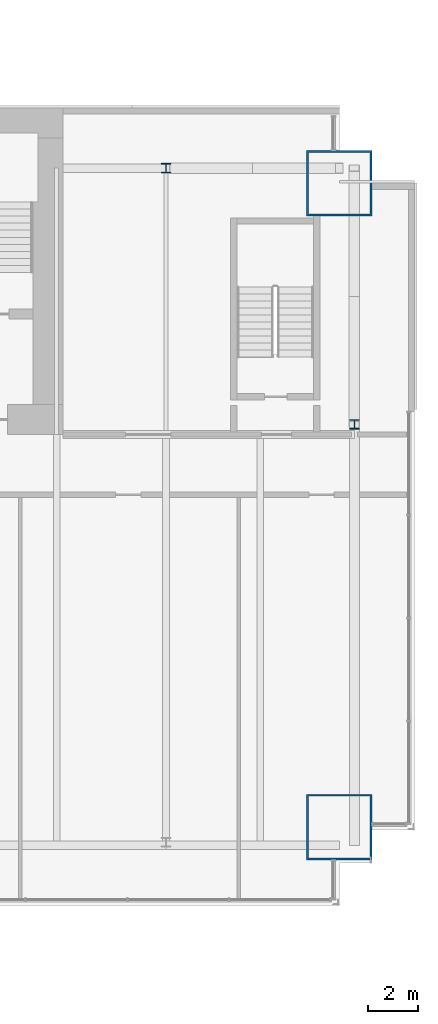
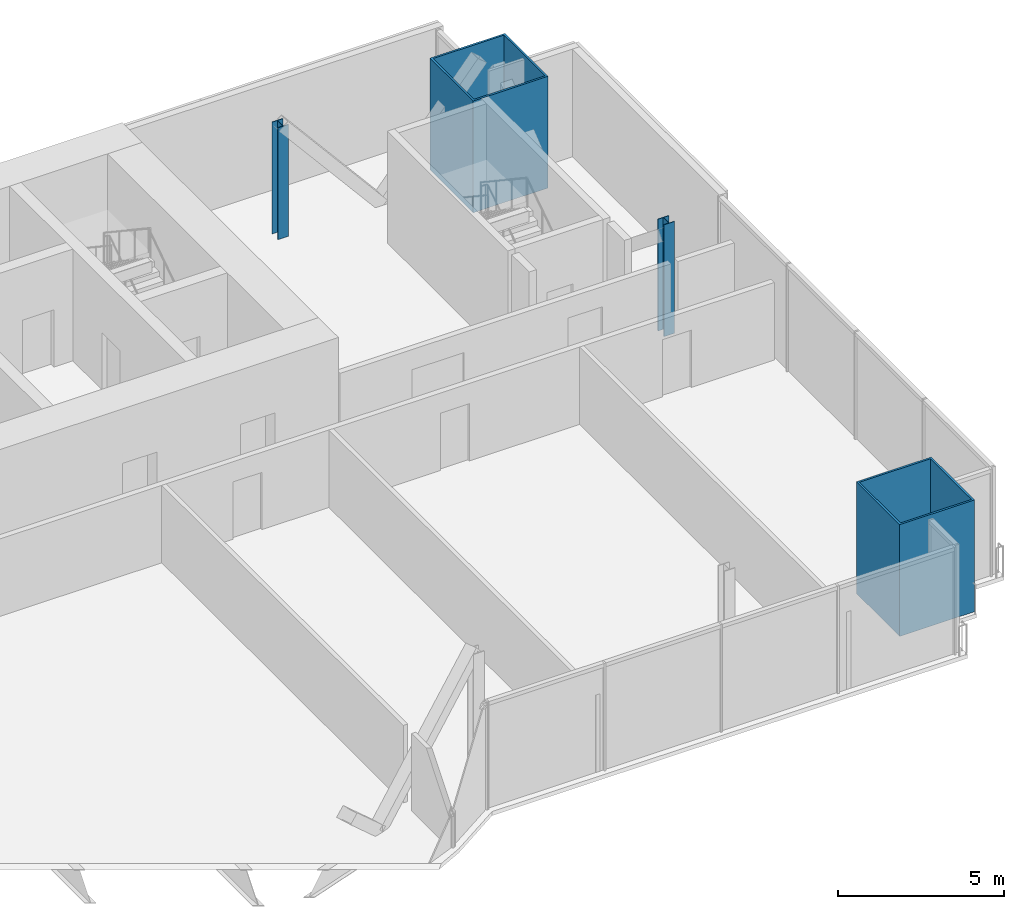
# One storey, part 4 of 20: 4 columns.
"""IFC4 building model written with IfcOpenShell, lengths in metres."""

from ifc_helpers import new_model, si_unit, direction, frame, origin, origin_2d, place, context, subcontext, project, spatial, hollow_rectangle, i_section, extrude, material, material_profile, profile_set, type_object, element, save


model = new_model("IFC4")

# Units and contexts
model_context = context("Model", 3, precision=1e-05, world=origin(), true_north=direction((0.0, 1.0)))
body_context = subcontext(model_context, "Body", "Model", "MODEL_VIEW")
ifc_project = project(units=[si_unit("LENGTHUNIT", "METRE"), si_unit("AREAUNIT", "SQUARE_METRE"), si_unit("VOLUMEUNIT", "CUBIC_METRE"), si_unit("PLANEANGLEUNIT", "RADIAN"), si_unit("MASSUNIT", "GRAM", prefix="KILO")], contexts=[model_context])

# Site, building, storey
site_placement = place(None, origin())
site = spatial("IfcSite", under=ifc_project, at=site_placement, CompositionType="ELEMENT")
building_placement = place(site_placement, origin())
building = spatial("IfcBuilding", under=site, at=building_placement, Name="Bicima Exchange Tower", CompositionType="ELEMENT")
storey_placement = place(building_placement, frame((0.0, 0.0, 215.5)))
storey = spatial("IfcBuildingStorey", under=building, at=storey_placement, Name="L48", CompositionType="ELEMENT", Elevation=215.5)

# Columns
ifc_material_1 = material(Name="Steel ASTM A572 Gr 50", Category="steel")
ifc_material_profile_1 = material_profile(ifc_material_1, hollow_rectangle(XDim=2.60009765625, YDim=2.60009765625, WallThickness=0.070068359375, at=origin_2d()))
ifc_profile_set_1 = profile_set([ifc_material_profile_1], Name="Steel ASTM A572 Gr 50")
column_type_1 = type_object("IfcColumnType", Name="Mega column BOX 2600x2600x70", PredefinedType="COLUMN", material=ifc_profile_set_1)
for number, where, z_axis, x_axis, name in (
    (1, (33.0, -28.6298828125, 0.0), (0.0, 0.0, 1.0), (1.0, 0.0, 0.0), "Mega column mega+33.0f"),
    (2, (33.0, -3.0, 0.0), (0.0, 0.0, 1.0), (1.0, 0.0, 0.0), "Mega column mega+33.0r"),
):
    element("IfcColumn", number, at=place(storey_placement, frame(where, z_axis=z_axis, x_axis=x_axis)), inside=storey, type_object=column_type_1, Name=name, PredefinedType="COLUMN", context=body_context, shape_type="SweptSolid", body=[
        extrude(hollow_rectangle(XDim=2.60009765625, YDim=2.60009765625, WallThickness=0.070068359375, at=origin_2d()), origin(), (0.0, 0.0, 1.0), 4.10009765625),
    ])
ifc_material_2 = material(Name="Steel ASTM A992 Gr 50", Category="steel")
ifc_material_profile_2 = material_profile(ifc_material_2, i_section(OverallWidth=0.373291015625, OverallDepth=0.373291015625, WebThickness=0.016357421875, FlangeThickness=0.026123046875, at=origin_2d()))
ifc_profile_set_2 = profile_set([ifc_material_profile_2], Name="Steel ASTM A992 Gr 50")
column_type_2 = type_object("IfcColumnType", Name="Perimeter column W14x132", PredefinedType="COLUMN", material=ifc_profile_set_2)
for number, where, z_axis, x_axis, name in (
    (3, (26.10009765625, -2.39990234375, 0.0), (0.0, 0.0, 1.0), (1.0, 0.0, 0.0), "Perimeter column grav+26.1r"),
    (4, (33.60009765625, -12.60009765625, 0.0), (0.0, 0.0, 1.0), (1.0, 0.0, 0.0), "End column end+33.6e"),
):
    element("IfcColumn", number, at=place(storey_placement, frame(where, z_axis=z_axis, x_axis=x_axis)), inside=storey, type_object=column_type_2, Name=name, PredefinedType="COLUMN", context=body_context, shape_type="SweptSolid", body=[
        extrude(i_section(OverallWidth=0.373291015625, OverallDepth=0.373291015625, WebThickness=0.016357421875, FlangeThickness=0.026123046875, at=origin_2d()), origin(), (0.0, 0.0, 1.0), 4.10009765625),
    ])

save(model, "model.ifc")
